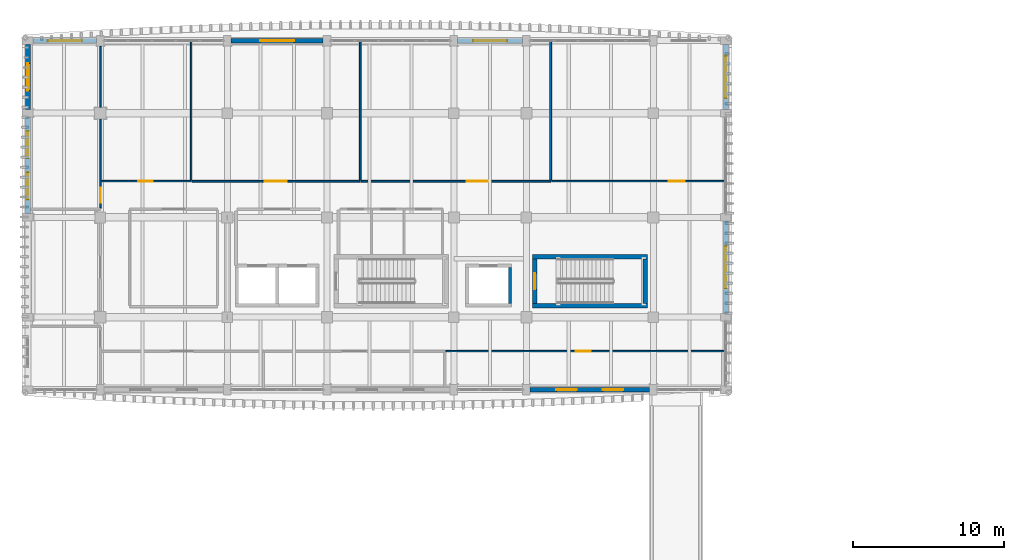
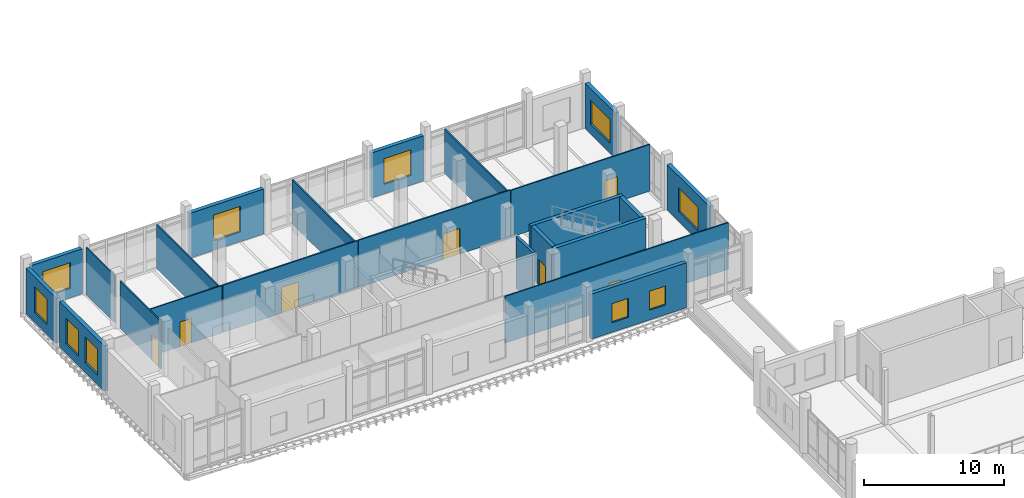
# One storey, part 52 of 76: 23 walls, 10 windows, 7 doors, 17 openings.
"""IFC4 building model written with IfcOpenShell, lengths in metres."""

from ifc_helpers import new_model, si_unit, direction, frame, frame_2d, origin, place, context, subcontext, project, spatial, rectangle, extrude, material, layer, layer_set, type_object, element, fill, save


model = new_model("IFC4")

# Units and contexts
model_context = context("Model", 3, precision=1e-05, world=origin(), true_north=direction((0.0, 1.0)))
body_context = subcontext(model_context, "Body", "Model", "MODEL_VIEW")
ifc_project = project(units=[si_unit("LENGTHUNIT", "METRE"), si_unit("AREAUNIT", "SQUARE_METRE"), si_unit("VOLUMEUNIT", "CUBIC_METRE"), si_unit("PLANEANGLEUNIT", "RADIAN"), si_unit("MASSUNIT", "GRAM", prefix="KILO")], contexts=[model_context])

# Site, building, storey
site_placement = place(None, origin())
site = spatial("IfcSite", under=ifc_project, at=site_placement, CompositionType="ELEMENT")
building_placement = place(site_placement, origin())
building = spatial("IfcBuilding", under=site, at=building_placement, Name="Dornvale Research Institute", CompositionType="ELEMENT")
storey_placement = place(building_placement, frame((0.0, 0.0, 15.0)))
storey = spatial("IfcBuildingStorey", under=building, at=storey_placement, Name="L03", CompositionType="ELEMENT", Elevation=15.0)

# Wall, opening, door
ifc_material_1 = material(Name="Acoustic Insulated Double-Stud Laboratory Partition")
ifc_layer_1 = layer(ifc_material_1, 0.1201171875)
ifc_layer_set_1 = layer_set([ifc_layer_1], Name="Acoustic Insulated Double-Stud Laboratory Partition")
wall_type_1 = type_object("IfcWallType", Name="Partition_Dry_120", PredefinedType="PARTITIONING", material=ifc_layer_set_1)
wall_1_placement = place(storey_placement, frame((10.864990234375, 112.800048828125, 0.0), z_axis=(0.0, 0.0, 1.0), x_axis=(1.0, 0.0, 0.0)))
wall_1 = element("IfcWall", 1, at=wall_1_placement, inside=storey, type_object=wall_type_1, Name="L03 V5 interior partition #342", PredefinedType="PARTITIONING", context=body_context, shape_type="SweptSolid", body=[
    extrude(rectangle(XDim=11.135009765625, YDim=0.1201171875, at=frame_2d((5.5673828125, 0.0))), origin(), (0.0, 0.0, 1.0), 4.1298828125),
])
opening_1_placement = place(wall_1_placement, frame((4.81494140625, 0.0, 0.0)))
opening_1 = element("IfcOpeningElement", 2, at=opening_1_placement, cuts=wall_1, Name="Opening ID-07", PredefinedType="OPENING", context=body_context, shape_type="SweptSolid", body=[
    extrude(rectangle(XDim=1.43994140625, YDim=2.25, at=frame_2d((0.719970703125, 1.125))), frame((0.0, 0.074951171875, 0.0), z_axis=(0.0, -1.0, 0.0), x_axis=(1.0, 0.0, 0.0)), (0.0, 0.0, 1.0), 0.150146484375),
])
ifc_material_2 = material(Name="Insulated Fire-Rated Hollow Metal Door Assembly")
door_type_1 = type_object("IfcDoorType", Name="Door_DryLab_1440x2250", OperationType="SINGLE_SWING_LEFT", PredefinedType="DOOR", material=ifc_material_2)
door_1_placement = place(opening_1_placement, origin())
door_1 = element("IfcDoor", 3, at=door_1_placement, inside=storey, type_object=door_type_1, Name="L03 Quantitative Ecology Computational Lab door #137", OperationType="SINGLE_SWING_RIGHT", OverallHeight=2.25, OverallWidth=1.43994140625, PredefinedType="DOOR", context=body_context, shape_type="SweptSolid", body=[
    extrude(rectangle(XDim=1.43994140625, YDim=2.25, at=frame_2d((0.719970703125, 1.125))), frame((0.0, 0.02490234375, 0.0), z_axis=(0.0, -1.0, 0.0), x_axis=(1.0, 0.0, 0.0)), (0.0, 0.0, 1.0), 0.050048828125),
])
fill(opening_1, door_1)

# Wall
wall_2_placement = place(storey_placement, frame((22.0, 112.875, 0.0), z_axis=(0.0, 0.0, 1.0), x_axis=(0.0, 1.0, 0.0)))
element("IfcWall", 4, at=wall_2_placement, inside=storey, type_object=wall_type_1, Name="L03 V5 interior partition #343", PredefinedType="PARTITIONING", context=body_context, shape_type="SweptSolid", body=[
    extrude(rectangle(XDim=9.18505859375, YDim=0.1201171875, at=frame_2d((4.592529296875, 0.0))), origin(), (0.0, 0.0, 1.0), 3.830078125),
])

# Wall, opening, door
wall_3_placement = place(storey_placement, frame((22.074951171875, 112.800048828125, 0.0), z_axis=(0.0, 0.0, 1.0), x_axis=(1.0, 0.0, 0.0)))
wall_3 = element("IfcWall", 5, at=wall_3_placement, inside=storey, type_object=wall_type_1, Name="L03 V5 interior partition #344", PredefinedType="PARTITIONING", context=body_context, shape_type="SweptSolid", body=[
    extrude(rectangle(XDim=12.525146484375, YDim=0.1201171875, at=frame_2d((6.2626953125, 0.0))), origin(), (0.0, 0.0, 1.0), 4.1298828125),
])
opening_2_placement = place(wall_3_placement, frame((6.985107421875, 0.0, 0.0)))
opening_2 = element("IfcOpeningElement", 6, at=opening_2_placement, cuts=wall_3, Name="Opening ID-08", PredefinedType="OPENING", context=body_context, shape_type="SweptSolid", body=[
    extrude(rectangle(XDim=1.3798828125, YDim=2.25, at=frame_2d((0.68994140625, 1.125))), frame((0.0, 0.074951171875, 0.0), z_axis=(0.0, -1.0, 0.0), x_axis=(1.0, 0.0, 0.0)), (0.0, 0.0, 1.0), 0.150146484375),
])
ifc_material_3 = material(Name="Insulated Fire-Rated Hollow Metal Door Assembly")
door_type_2 = type_object("IfcDoorType", Name="Door_DryLab_1380x2250", OperationType="SINGLE_SWING_LEFT", PredefinedType="DOOR", material=ifc_material_3)
door_2_placement = place(opening_2_placement, origin())
door_2 = element("IfcDoor", 7, at=door_2_placement, inside=storey, type_object=door_type_2, Name="L03 Spatial Data Modelling Laboratory door #138", OperationType="SINGLE_SWING_LEFT", OverallHeight=2.25, OverallWidth=1.3798828125, PredefinedType="DOOR", context=body_context, shape_type="SweptSolid", body=[
    extrude(rectangle(XDim=1.3798828125, YDim=2.25, at=frame_2d((0.68994140625, 1.125))), frame((0.0, 0.02490234375, 0.0), z_axis=(0.0, -1.0, 0.0), x_axis=(1.0, 0.0, 0.0)), (0.0, 0.0, 1.0), 0.050048828125),
])
fill(opening_2, door_2)

# Wall
wall_4_placement = place(storey_placement, frame((34.60009765625, 112.875, 0.0), z_axis=(0.0, 0.0, 1.0), x_axis=(0.0, 1.0, 0.0)))
element("IfcWall", 8, at=wall_4_placement, inside=storey, type_object=wall_type_1, Name="L03 V5 interior partition #345", PredefinedType="PARTITIONING", context=body_context, shape_type="SweptSolid", body=[
    extrude(rectangle(XDim=9.18505859375, YDim=0.1201171875, at=frame_2d((4.592529296875, 0.0))), origin(), (0.0, 0.0, 1.0), 3.830078125),
])

# Wall, opening, door
ifc_material_4 = material(Name="Acoustic Insulated Double-Stud Laboratory Partition")
ifc_layer_2 = layer(ifc_material_4, 0.10009765625)
ifc_layer_set_2 = layer_set([ifc_layer_2], Name="Acoustic Insulated Double-Stud Laboratory Partition")
wall_type_2 = type_object("IfcWallType", Name="Partition_Office_100", PredefinedType="PARTITIONING", material=ifc_layer_set_2)
wall_5_placement = place(storey_placement, frame((4.800048828125, 111.02490234375, 0.0), z_axis=(0.0, 0.0, 1.0), x_axis=(0.0, 1.0, 0.0)))
wall_5 = element("IfcWall", 9, at=wall_5_placement, inside=storey, type_object=wall_type_2, Name="L03 V5 interior partition #338", PredefinedType="PARTITIONING", context=body_context, shape_type="SweptSolid", body=[
    extrude(rectangle(XDim=5.880126953125, YDim=0.10009765625, at=frame_2d((2.93994140625, 0.0))), origin(), (0.0, 0.0, 1.0), 4.1298828125),
])
opening_3_placement = place(wall_5_placement, frame((0.364990234375, 0.0, 0.0)))
opening_3 = element("IfcOpeningElement", 10, at=opening_3_placement, cuts=wall_5, Name="Opening ID-21", PredefinedType="OPENING", context=body_context, shape_type="SweptSolid", body=[
    extrude(rectangle(XDim=0.97998046875, YDim=2.199951171875, at=frame_2d((0.489990234375, 1.10009765625))), frame((0.0, 0.06494140625, 0.0), z_axis=(0.0, -1.0, 0.0), x_axis=(1.0, 0.0, 0.0)), (0.0, 0.0, 1.0), 0.130126953125),
])
ifc_material_5 = material(Name="Phenolic-Faced Solid-Core Laboratory Door Assembly")
door_type_3 = type_object("IfcDoorType", Name="Door_Office_980x2200", OperationType="SINGLE_SWING_LEFT", PredefinedType="DOOR", material=ifc_material_5)
door_3_placement = place(opening_3_placement, origin())
door_3 = element("IfcDoor", 11, at=door_3_placement, inside=storey, type_object=door_type_3, Name="L03 Faculty Office Suite L03 door #135", OperationType="SINGLE_SWING_RIGHT", OverallHeight=2.199951171875, OverallWidth=0.97998046875, PredefinedType="DOOR", context=body_context, shape_type="SweptSolid", body=[
    extrude(rectangle(XDim=0.97998046875, YDim=2.199951171875, at=frame_2d((0.489990234375, 1.10009765625))), frame((0.0, 0.02490234375, 0.0), z_axis=(0.0, -1.0, 0.0), x_axis=(1.0, 0.0, 0.0)), (0.0, 0.0, 1.0), 0.050048828125),
])
fill(opening_3, door_3)

# Wall
wall_6_placement = place(storey_placement, frame((4.800048828125, 117.695068359375, 0.0), z_axis=(0.0, 0.0, 1.0), x_axis=(0.0, 1.0, 0.0)))
element("IfcWall", 12, at=wall_6_placement, inside=storey, type_object=wall_type_2, Name="L03 V5 interior partition #339", PredefinedType="PARTITIONING", context=body_context, shape_type="SweptSolid", body=[
    extrude(rectangle(XDim=4.034912109375, YDim=0.10009765625, at=frame_2d((2.017578125, 0.0))), origin(), (0.0, 0.0, 1.0), 4.1298828125),
])

# Wall, opening, door
wall_7_placement = place(storey_placement, frame((4.864990234375, 112.800048828125, 0.0), z_axis=(0.0, 0.0, 1.0), x_axis=(1.0, 0.0, 0.0)))
wall_7 = element("IfcWall", 13, at=wall_7_placement, inside=storey, type_object=wall_type_2, Name="L03 V5 interior partition #340", PredefinedType="PARTITIONING", context=body_context, shape_type="SweptSolid", body=[
    extrude(rectangle(XDim=5.93505859375, YDim=0.10009765625, at=frame_2d((2.967529296875, 0.0))), origin(), (0.0, 0.0, 1.0), 4.1298828125),
])
opening_4_placement = place(wall_7_placement, frame((2.455078125, 0.0, 0.0)))
opening_4 = element("IfcOpeningElement", 14, at=opening_4_placement, cuts=wall_7, Name="Opening ID-22", PredefinedType="OPENING", context=body_context, shape_type="SweptSolid", body=[
    extrude(rectangle(XDim=0.9599609375, YDim=2.14990234375, at=frame_2d((0.47998046875, 1.074951171875))), frame((0.0, 0.06494140625, 0.0), z_axis=(0.0, -1.0, 0.0), x_axis=(1.0, 0.0, 0.0)), (0.0, 0.0, 1.0), 0.130126953125),
])
ifc_material_6 = material(Name="Phenolic-Faced Solid-Core Laboratory Door Assembly")
door_type_4 = type_object("IfcDoorType", Name="Door_Office_960x2150", OperationType="SINGLE_SWING_LEFT", PredefinedType="DOOR", material=ifc_material_6)
door_4_placement = place(opening_4_placement, origin())
door_4 = element("IfcDoor", 15, at=door_4_placement, inside=storey, type_object=door_type_4, Name="L03 Faculty Office Suite L03 door #136", OperationType="SINGLE_SWING_LEFT", OverallHeight=2.14990234375, OverallWidth=0.9599609375, PredefinedType="DOOR", context=body_context, shape_type="SweptSolid", body=[
    extrude(rectangle(XDim=0.9599609375, YDim=2.14990234375, at=frame_2d((0.47998046875, 1.074951171875))), frame((0.0, 0.02490234375, 0.0), z_axis=(0.0, -1.0, 0.0), x_axis=(1.0, 0.0, 0.0)), (0.0, 0.0, 1.0), 0.050048828125),
])
fill(opening_4, door_4)

# Wall
wall_8_placement = place(storey_placement, frame((10.800048828125, 112.864990234375, 0.0), z_axis=(0.0, 0.0, 1.0), x_axis=(0.0, 1.0, 0.0)))
element("IfcWall", 16, at=wall_8_placement, inside=storey, type_object=wall_type_2, Name="L03 V5 interior partition #341", PredefinedType="PARTITIONING", context=body_context, shape_type="SweptSolid", body=[
    extrude(rectangle(XDim=9.195068359375, YDim=0.10009765625, at=frame_2d((4.59765625, 0.0))), origin(), (0.0, 0.0, 1.0), 3.830078125),
])

# Wall, opening, door
wall_9_placement = place(storey_placement, frame((34.675048828125, 112.800048828125, 0.0), z_axis=(0.0, 0.0, 1.0), x_axis=(1.0, 0.0, 0.0)))
wall_9 = element("IfcWall", 17, at=wall_9_placement, inside=storey, type_object=wall_type_2, Name="L03 V5 interior partition #346", PredefinedType="PARTITIONING", context=body_context, shape_type="SweptSolid", body=[
    extrude(rectangle(XDim=11.48486328125, YDim=0.10009765625, at=frame_2d((5.742431640625, 0.0))), origin(), (0.0, 0.0, 1.0), 4.080078125),
])
opening_5_placement = place(wall_9_placement, frame((7.7451171875, 0.0, 0.0)))
opening_5 = element("IfcOpeningElement", 18, at=opening_5_placement, cuts=wall_9, Name="Opening ID-19", PredefinedType="OPENING", context=body_context, shape_type="SweptSolid", body=[
    extrude(rectangle(XDim=1.06005859375, YDim=2.199951171875, at=frame_2d((0.530029296875, 1.10009765625))), frame((0.0, 0.06494140625, 0.0), z_axis=(0.0, -1.0, 0.0), x_axis=(1.0, 0.0, 0.0)), (0.0, 0.0, 1.0), 0.130126953125),
])
ifc_material_7 = material(Name="Phenolic-Faced Solid-Core Laboratory Door Assembly")
door_type_5 = type_object("IfcDoorType", Name="Door_WriteUp_1060x2200", OperationType="SINGLE_SWING_LEFT", PredefinedType="DOOR", material=ifc_material_7)
door_5_placement = place(opening_5_placement, origin())
door_5 = element("IfcDoor", 19, at=door_5_placement, inside=storey, type_object=door_type_5, Name="L03 Graduate Write-Up Commons L03 door #139", OperationType="SINGLE_SWING_RIGHT", OverallHeight=2.199951171875, OverallWidth=1.06005859375, PredefinedType="DOOR", context=body_context, shape_type="SweptSolid", body=[
    extrude(rectangle(XDim=1.06005859375, YDim=2.199951171875, at=frame_2d((0.530029296875, 1.10009765625))), frame((0.0, 0.02490234375, 0.0), z_axis=(0.0, -1.0, 0.0), x_axis=(1.0, 0.0, 0.0)), (0.0, 0.0, 1.0), 0.050048828125),
])
fill(opening_5, door_5)

wall_10_placement = place(storey_placement, frame((27.675048828125, 101.550048828125, 0.0), z_axis=(0.0, 0.0, 1.0), x_axis=(1.0, 0.0, 0.0)))
wall_10 = element("IfcWall", 20, at=wall_10_placement, inside=storey, type_object=wall_type_2, Name="L03 V5 interior partition #352", PredefinedType="PARTITIONING", context=body_context, shape_type="SweptSolid", body=[
    extrude(rectangle(XDim=18.48486328125, YDim=0.10009765625, at=frame_2d((9.242431640625, 0.0))), origin(), (0.0, 0.0, 1.0), 4.080078125),
])
opening_6_placement = place(wall_10_placement, frame((8.594970703125, 0.0, 0.0)))
opening_6 = element("IfcOpeningElement", 21, at=opening_6_placement, cuts=wall_10, Name="Opening ID-21", PredefinedType="OPENING", context=body_context, shape_type="SweptSolid", body=[
    extrude(rectangle(XDim=0.97998046875, YDim=2.199951171875, at=frame_2d((0.489990234375, 1.10009765625))), frame((0.0, 0.06494140625, 0.0), z_axis=(0.0, -1.0, 0.0), x_axis=(1.0, 0.0, 0.0)), (0.0, 0.0, 1.0), 0.130126953125),
])
door_6_placement = place(opening_6_placement, origin())
door_6 = element("IfcDoor", 22, at=door_6_placement, inside=storey, type_object=door_type_3, Name="L03 Principal Investigator Office L03-S door #143", OperationType="SINGLE_SWING_RIGHT", OverallHeight=2.199951171875, OverallWidth=0.97998046875, PredefinedType="DOOR", context=body_context, shape_type="SweptSolid", body=[
    extrude(rectangle(XDim=0.97998046875, YDim=2.199951171875, at=frame_2d((0.489990234375, 1.10009765625))), frame((0.0, 0.02490234375, 0.0), z_axis=(0.0, -1.0, 0.0), x_axis=(1.0, 0.0, 0.0)), (0.0, 0.0, 1.0), 0.050048828125),
])
fill(opening_6, door_6)

# Walls
ifc_material_8 = material(Name="Concrete f'c 50 MPa (C40/50)", Category="concrete")
ifc_layer_3 = layer(ifc_material_8, 0.300048828125)
ifc_layer_set_3 = layer_set([ifc_layer_3], Name="Concrete f'c 50 MPa (C40/50)")
wall_type_3 = type_object("IfcWallType", Name="ShearWall_Core_300", PredefinedType="SHEAR", material=ifc_layer_set_3)
for number, where, z_axis, x_axis, name in (
    (23, (33.39990234375, 104.550048828125, 0.0), (0.0, 0.0, 1.0), (1.0, 0.0, 0.0), "L03 ST-2 shaft shear wall south"),
    (24, (33.39990234375, 107.81005859375, 0.0), (0.0, 0.0, 1.0), (1.0, 0.0, 0.0), "L03 ST-2 shaft shear wall north"),
):
    element("IfcWall", number, at=place(storey_placement, frame(where, z_axis=z_axis, x_axis=x_axis)), inside=storey, type_object=wall_type_3, Name=name, PredefinedType="SHEAR", context=body_context, shape_type="SweptSolid", body=[
        extrude(rectangle(XDim=7.60009765625, YDim=0.300048828125, at=frame_2d((3.800048828125, 0.0))), origin(), (0.0, 0.0, 1.0), 4.5),
    ])

# Wall, opening, door
wall_11_placement = place(storey_placement, frame((33.550048828125, 104.699951171875, 0.0), z_axis=(0.0, 0.0, 1.0), x_axis=(0.0, 1.0, 0.0)))
wall_11 = element("IfcWall", 25, at=wall_11_placement, inside=storey, type_object=wall_type_3, Name="L03 ST-2 shaft shear wall west", PredefinedType="SHEAR", context=body_context, shape_type="SweptSolid", body=[
    extrude(rectangle(XDim=2.9599609375, YDim=0.300048828125, at=frame_2d((1.47998046875, 0.0))), origin(), (0.0, 0.0, 1.0), 4.5),
])
opening_7_placement = place(wall_11_placement, frame((0.93994140625, 0.0, 0.0)))
opening_7 = element("IfcOpeningElement", 26, at=opening_7_placement, cuts=wall_11, Name="Opening SD-02", PredefinedType="OPENING", context=body_context, shape_type="SweptSolid", body=[
    extrude(rectangle(XDim=1.080078125, YDim=2.199951171875, at=frame_2d((0.5400390625, 1.10009765625))), frame((0.0, 0.1650390625, 0.0), z_axis=(0.0, -1.0, 0.0), x_axis=(1.0, 0.0, 0.0)), (0.0, 0.0, 1.0), 0.330078125),
])
ifc_material_9 = material(Name="Insulated Fire-Rated Hollow Metal Door Assembly")
door_type_6 = type_object("IfcDoorType", Name="Door_Stair_1080x2200", OperationType="SINGLE_SWING_LEFT", PredefinedType="DOOR", material=ifc_material_9)
door_7_placement = place(opening_7_placement, origin())
door_7 = element("IfcDoor", 27, at=door_7_placement, inside=storey, type_object=door_type_6, Name="L03 ST-2 exit stair door #17", OperationType="SINGLE_SWING_RIGHT", OverallHeight=2.199951171875, OverallWidth=1.080078125, PredefinedType="DOOR", context=body_context, shape_type="SweptSolid", body=[
    extrude(rectangle(XDim=1.080078125, YDim=2.199951171875, at=frame_2d((0.5400390625, 1.10009765625))), frame((0.0, 0.02490234375, 0.0), z_axis=(0.0, -1.0, 0.0), x_axis=(1.0, 0.0, 0.0)), (0.0, 0.0, 1.0), 0.050048828125),
])
fill(opening_7, door_7)

# Walls
wall_12_placement = place(storey_placement, frame((40.85009765625, 104.699951171875, 0.0), z_axis=(0.0, 0.0, 1.0), x_axis=(0.0, 1.0, 0.0)))
element("IfcWall", 28, at=wall_12_placement, inside=storey, type_object=wall_type_3, Name="L03 ST-2 shaft shear wall east", PredefinedType="SHEAR", context=body_context, shape_type="SweptSolid", body=[
    extrude(rectangle(XDim=2.9599609375, YDim=0.300048828125, at=frame_2d((1.47998046875, 0.0))), origin(), (0.0, 0.0, 1.0), 4.5),
])
ifc_material_10 = material(Name="Concrete f'c 45 MPa (C35/45)", Category="concrete")
ifc_layer_4 = layer(ifc_material_10, 0.219970703125)
ifc_layer_set_4 = layer_set([ifc_layer_4], Name="Concrete f'c 45 MPa (C35/45)")
wall_type_4 = type_object("IfcWallType", Name="ShearWall_Shaft_220", PredefinedType="SHEAR", material=ifc_layer_set_4)
wall_13_placement = place(storey_placement, frame((31.909912109375, 104.699951171875, 0.0), z_axis=(0.0, 0.0, 1.0), x_axis=(0.0, 1.0, 0.0)))
element("IfcWall", 29, at=wall_13_placement, inside=storey, type_object=wall_type_4, Name="L03 LP1 elevator shaft wall east", PredefinedType="SHEAR", context=body_context, shape_type="SweptSolid", body=[
    extrude(rectangle(XDim=2.400146484375, YDim=0.219970703125, at=frame_2d((1.2001953125, 0.0))), origin(), (0.0, 0.0, 1.0), 4.5),
])

# Wall, openings, windows
ifc_material_11 = material(Name="Catalan Pressed Brick and Insulated Cavity Assembly", Category="masonry")
ifc_layer_5 = layer(ifc_material_11, 0.320068359375)
ifc_layer_set_5 = layer_set([ifc_layer_5], Name="Catalan Pressed Brick and Insulated Cavity Assembly")
wall_type_5 = type_object("IfcWallType", Name="StandardWall_BrickCavity_320", PredefinedType="STANDARD", material=ifc_layer_set_5)
wall_14_placement = place(storey_placement, frame((0.0, 110.64990234375, 0.0), z_axis=(0.0, 0.0, 1.0), x_axis=(0.0, 1.0, 0.0)))
wall_14 = element("IfcWall", 30, at=wall_14_placement, inside=storey, type_object=wall_type_5, Name="L03 V5 west exterior wall #334", PredefinedType="STANDARD", context=body_context, shape_type="SweptSolid", body=[
    extrude(rectangle(XDim=6.400146484375, YDim=0.320068359375, at=frame_2d((3.2001953125, 0.0))), origin(), (0.0, 0.0, 1.0), 3.949951171875),
])
opening_8_placement = place(wall_14_placement, frame((0.933349609375, 0.0, 0.85009765625)))
opening_8 = element("IfcOpeningElement", 31, at=opening_8_placement, cuts=wall_14, Name="Opening W-41", PredefinedType="OPENING", context=body_context, shape_type="SweptSolid", body=[
    extrude(rectangle(XDim=1.800048828125, YDim=2.239990234375, at=frame_2d((0.89990234375, 1.1201171875))), frame((0.0, 0.175048828125, 0.0), z_axis=(0.0, -1.0, 0.0), x_axis=(1.0, 0.0, 0.0)), (0.0, 0.0, 1.0), 0.35009765625),
])
opening_9_placement = place(wall_14_placement, frame((3.66650390625, 0.0, 0.85009765625)))
opening_9 = element("IfcOpeningElement", 32, at=opening_9_placement, cuts=wall_14, Name="Opening W-41", PredefinedType="OPENING", context=body_context, shape_type="SweptSolid", body=[
    extrude(rectangle(XDim=1.800048828125, YDim=2.239990234375, at=frame_2d((0.89990234375, 1.1201171875))), frame((0.0, 0.175048828125, 0.0), z_axis=(0.0, -1.0, 0.0), x_axis=(1.0, 0.0, 0.0)), (0.0, 0.0, 1.0), 0.35009765625),
])
ifc_material_12 = material(Name="Low-E Argon Double Insulating Glazing Unit", Category="glass")
window_type_1 = type_object("IfcWindowType", Name="Window_Alu_1800x2240_41", PartitioningType="DOUBLE_PANEL_VERTICAL", PredefinedType="WINDOW", material=ifc_material_12)
window_1_placement = place(opening_8_placement, origin())
window_1 = element("IfcWindow", 33, at=window_1_placement, inside=storey, type_object=window_type_1, Name="L03 V5 facade window W-41 #451", OverallHeight=2.239990234375, OverallWidth=1.800048828125, PartitioningType="DOUBLE_PANEL_VERTICAL", PredefinedType="WINDOW", context=body_context, shape_type="SweptSolid", body=[
    extrude(rectangle(XDim=1.800048828125, YDim=2.239990234375, at=frame_2d((0.89990234375, 1.1201171875))), frame((0.0, 0.030029296875, 0.0), z_axis=(0.0, -1.0, 0.0), x_axis=(1.0, 0.0, 0.0)), (0.0, 0.0, 1.0), 0.06005859375),
])
fill(opening_8, window_1)
window_2_placement = place(opening_9_placement, origin())
window_2 = element("IfcWindow", 34, at=window_2_placement, inside=storey, type_object=window_type_1, Name="L03 V5 facade window W-41 #452", OverallHeight=2.239990234375, OverallWidth=1.800048828125, PartitioningType="DOUBLE_PANEL_VERTICAL", PredefinedType="WINDOW", context=body_context, shape_type="SweptSolid", body=[
    extrude(rectangle(XDim=1.800048828125, YDim=2.239990234375, at=frame_2d((0.89990234375, 1.1201171875))), frame((0.0, 0.030029296875, 0.0), z_axis=(0.0, -1.0, 0.0), x_axis=(1.0, 0.0, 0.0)), (0.0, 0.0, 1.0), 0.06005859375),
])
fill(opening_9, window_2)

# Wall, opening, window
wall_15_placement = place(storey_placement, frame((0.0, 117.550048828125, 0.0), z_axis=(0.0, 0.0, 1.0), x_axis=(0.0, 1.0, 0.0)))
wall_15 = element("IfcWall", 35, at=wall_15_placement, inside=storey, type_object=wall_type_5, Name="L03 V5 west exterior wall #335", PredefinedType="STANDARD", context=body_context, shape_type="SweptSolid", body=[
    extrude(rectangle(XDim=4.300048828125, YDim=0.320068359375, at=frame_2d((2.14990234375, 0.0))), origin(), (0.0, 0.0, 1.0), 3.949951171875),
])
opening_10_placement = place(wall_15_placement, frame((1.25, 0.0, 0.85009765625)))
opening_10 = element("IfcOpeningElement", 36, at=opening_10_placement, cuts=wall_15, Name="Opening W-41", PredefinedType="OPENING", context=body_context, shape_type="SweptSolid", body=[
    extrude(rectangle(XDim=1.800048828125, YDim=2.239990234375, at=frame_2d((0.89990234375, 1.1201171875))), frame((0.0, 0.175048828125, 0.0), z_axis=(0.0, -1.0, 0.0), x_axis=(1.0, 0.0, 0.0)), (0.0, 0.0, 1.0), 0.35009765625),
])
window_3_placement = place(opening_10_placement, origin())
window_3 = element("IfcWindow", 37, at=window_3_placement, inside=storey, type_object=window_type_1, Name="L03 V5 facade window W-41 #453", OverallHeight=2.239990234375, OverallWidth=1.800048828125, PartitioningType="DOUBLE_PANEL_VERTICAL", PredefinedType="WINDOW", context=body_context, shape_type="SweptSolid", body=[
    extrude(rectangle(XDim=1.800048828125, YDim=2.239990234375, at=frame_2d((0.89990234375, 1.1201171875))), frame((0.0, 0.030029296875, 0.0), z_axis=(0.0, -1.0, 0.0), x_axis=(1.0, 0.0, 0.0)), (0.0, 0.0, 1.0), 0.06005859375),
])
fill(opening_10, window_3)

wall_16_placement = place(storey_placement, frame((0.35009765625, 122.10009765625, 0.0), z_axis=(0.0, 0.0, 1.0), x_axis=(1.0, 0.0, 0.0)))
wall_16 = element("IfcWall", 38, at=wall_16_placement, inside=storey, type_object=wall_type_5, Name="L03 V5 north exterior wall #336", PredefinedType="STANDARD", context=body_context, shape_type="SweptSolid", body=[
    extrude(rectangle(XDim=4.199951171875, YDim=0.320068359375, at=frame_2d((2.10009765625, 0.0))), origin(), (0.0, 0.0, 1.0), 3.949951171875),
])
opening_11_placement = place(wall_16_placement, frame((0.97509765625, 0.0, 0.85009765625)))
opening_11 = element("IfcOpeningElement", 39, at=opening_11_placement, cuts=wall_16, Name="Opening W-44", PredefinedType="OPENING", context=body_context, shape_type="SweptSolid", body=[
    extrude(rectangle(XDim=2.25, YDim=2.239990234375, at=frame_2d((1.125, 1.1201171875))), frame((0.0, 0.175048828125, 0.0), z_axis=(0.0, -1.0, 0.0), x_axis=(1.0, 0.0, 0.0)), (0.0, 0.0, 1.0), 0.35009765625),
])
ifc_material_13 = material(Name="Low-E Argon Double Insulating Glazing Unit", Category="glass")
window_type_2 = type_object("IfcWindowType", Name="Window_Alu_2250x2240_44", PartitioningType="DOUBLE_PANEL_VERTICAL", PredefinedType="WINDOW", material=ifc_material_13)
window_4_placement = place(opening_11_placement, origin())
window_4 = element("IfcWindow", 40, at=window_4_placement, inside=storey, type_object=window_type_2, Name="L03 V5 facade window W-44 #454", OverallHeight=2.239990234375, OverallWidth=2.25, PartitioningType="DOUBLE_PANEL_VERTICAL", PredefinedType="WINDOW", context=body_context, shape_type="SweptSolid", body=[
    extrude(rectangle(XDim=2.25, YDim=2.239990234375, at=frame_2d((1.125, 1.1201171875))), frame((0.0, 0.030029296875, 0.0), z_axis=(0.0, -1.0, 0.0), x_axis=(1.0, 0.0, 0.0)), (0.0, 0.0, 1.0), 0.06005859375),
])
fill(opening_11, window_4)

wall_17_placement = place(storey_placement, frame((13.449951171875, 122.10009765625, 0.0), z_axis=(0.0, 0.0, 1.0), x_axis=(1.0, 0.0, 0.0)))
wall_17 = element("IfcWall", 41, at=wall_17_placement, inside=storey, type_object=wall_type_5, Name="L03 V5 north exterior wall #337", PredefinedType="STANDARD", context=body_context, shape_type="SweptSolid", body=[
    extrude(rectangle(XDim=6.10009765625, YDim=0.320068359375, at=frame_2d((3.050048828125, 0.0))), origin(), (0.0, 0.0, 1.0), 3.929931640625),
])
opening_12_placement = place(wall_17_placement, frame((1.925048828125, 0.0, 0.85009765625)))
opening_12 = element("IfcOpeningElement", 42, at=opening_12_placement, cuts=wall_17, Name="Opening W-44", PredefinedType="OPENING", context=body_context, shape_type="SweptSolid", body=[
    extrude(rectangle(XDim=2.25, YDim=2.239990234375, at=frame_2d((1.125, 1.1201171875))), frame((0.0, 0.175048828125, 0.0), z_axis=(0.0, -1.0, 0.0), x_axis=(1.0, 0.0, 0.0)), (0.0, 0.0, 1.0), 0.35009765625),
])
window_5_placement = place(opening_12_placement, origin())
window_5 = element("IfcWindow", 43, at=window_5_placement, inside=storey, type_object=window_type_2, Name="L03 V5 facade window W-44 #455", OverallHeight=2.239990234375, OverallWidth=2.25, PartitioningType="DOUBLE_PANEL_VERTICAL", PredefinedType="WINDOW", context=body_context, shape_type="SweptSolid", body=[
    extrude(rectangle(XDim=2.25, YDim=2.239990234375, at=frame_2d((1.125, 1.1201171875))), frame((0.0, 0.030029296875, 0.0), z_axis=(0.0, -1.0, 0.0), x_axis=(1.0, 0.0, 0.0)), (0.0, 0.0, 1.0), 0.06005859375),
])
fill(opening_12, window_5)

wall_18_placement = place(storey_placement, frame((28.449951171875, 122.10009765625, 0.0), z_axis=(0.0, 0.0, 1.0), x_axis=(1.0, 0.0, 0.0)))
wall_18 = element("IfcWall", 44, at=wall_18_placement, inside=storey, type_object=wall_type_5, Name="L03 V5 north exterior wall #338", PredefinedType="STANDARD", context=body_context, shape_type="SweptSolid", body=[
    extrude(rectangle(XDim=4.300048828125, YDim=0.320068359375, at=frame_2d((2.14990234375, 0.0))), origin(), (0.0, 0.0, 1.0), 3.949951171875),
])
opening_13_placement = place(wall_18_placement, frame((1.02490234375, 0.0, 0.85009765625)))
opening_13 = element("IfcOpeningElement", 45, at=opening_13_placement, cuts=wall_18, Name="Opening W-44", PredefinedType="OPENING", context=body_context, shape_type="SweptSolid", body=[
    extrude(rectangle(XDim=2.25, YDim=2.239990234375, at=frame_2d((1.125, 1.1201171875))), frame((0.0, 0.175048828125, 0.0), z_axis=(0.0, -1.0, 0.0), x_axis=(1.0, 0.0, 0.0)), (0.0, 0.0, 1.0), 0.35009765625),
])
window_6_placement = place(opening_13_placement, origin())
window_6 = element("IfcWindow", 46, at=window_6_placement, inside=storey, type_object=window_type_2, Name="L03 V5 facade window W-44 #456", OverallHeight=2.239990234375, OverallWidth=2.25, PartitioningType="DOUBLE_PANEL_VERTICAL", PredefinedType="WINDOW", context=body_context, shape_type="SweptSolid", body=[
    extrude(rectangle(XDim=2.25, YDim=2.239990234375, at=frame_2d((1.125, 1.1201171875))), frame((0.0, 0.030029296875, 0.0), z_axis=(0.0, -1.0, 0.0), x_axis=(1.0, 0.0, 0.0)), (0.0, 0.0, 1.0), 0.06005859375),
])
fill(opening_13, window_6)

wall_19_placement = place(storey_placement, frame((46.199951171875, 121.85009765625, 0.0), z_axis=(0.0, 0.0, 1.0), x_axis=(0.0, -1.0, 0.0)))
wall_19 = element("IfcWall", 47, at=wall_19_placement, inside=storey, type_object=wall_type_5, Name="L03 V5 east exterior wall #340", PredefinedType="STANDARD", context=body_context, shape_type="SweptSolid", body=[
    extrude(rectangle(XDim=4.300048828125, YDim=0.320068359375, at=frame_2d((2.14990234375, 0.0))), origin(), (0.0, 0.0, 1.0), 3.949951171875),
])
opening_14_placement = place(wall_19_placement, frame((0.75, 0.0, 0.85009765625)))
opening_14 = element("IfcOpeningElement", 48, at=opening_14_placement, cuts=wall_19, Name="Opening W-47", PredefinedType="OPENING", context=body_context, shape_type="SweptSolid", body=[
    extrude(rectangle(XDim=2.800048828125, YDim=2.080078125, at=frame_2d((1.39990234375, 1.0400390625))), frame((0.0, 0.175048828125, 0.0), z_axis=(0.0, -1.0, 0.0), x_axis=(1.0, 0.0, 0.0)), (0.0, 0.0, 1.0), 0.35009765625),
])
ifc_material_14 = material(Name="Low-E Argon Double Insulating Glazing Unit", Category="glass")
window_type_3 = type_object("IfcWindowType", Name="Window_Alu_2800x2080_47", PartitioningType="DOUBLE_PANEL_VERTICAL", PredefinedType="WINDOW", material=ifc_material_14)
window_7_placement = place(opening_14_placement, origin())
window_7 = element("IfcWindow", 49, at=window_7_placement, inside=storey, type_object=window_type_3, Name="L03 V5 facade window W-47 #458", OverallHeight=2.080078125, OverallWidth=2.800048828125, PartitioningType="DOUBLE_PANEL_VERTICAL", PredefinedType="WINDOW", context=body_context, shape_type="SweptSolid", body=[
    extrude(rectangle(XDim=2.800048828125, YDim=2.080078125, at=frame_2d((1.39990234375, 1.0400390625))), frame((0.0, 0.030029296875, 0.0), z_axis=(0.0, -1.0, 0.0), x_axis=(1.0, 0.0, 0.0)), (0.0, 0.0, 1.0), 0.06005859375),
])
fill(opening_14, window_7)

wall_20_placement = place(storey_placement, frame((46.199951171875, 110.14990234375, 0.0), z_axis=(0.0, 0.0, 1.0), x_axis=(0.0, -1.0, 0.0)))
wall_20 = element("IfcWall", 50, at=wall_20_placement, inside=storey, type_object=wall_type_5, Name="L03 V5 east exterior wall #341", PredefinedType="STANDARD", context=body_context, shape_type="SweptSolid", body=[
    extrude(rectangle(XDim=6.099853515625, YDim=0.320068359375, at=frame_2d((3.0498046875, 0.0))), origin(), (0.0, 0.0, 1.0), 3.949951171875),
])
opening_15_placement = place(wall_20_placement, frame((1.64990234375, 0.0, 0.85009765625)))
opening_15 = element("IfcOpeningElement", 51, at=opening_15_placement, cuts=wall_20, Name="Opening W-47", PredefinedType="OPENING", context=body_context, shape_type="SweptSolid", body=[
    extrude(rectangle(XDim=2.800048828125, YDim=2.080078125, at=frame_2d((1.39990234375, 1.0400390625))), frame((0.0, 0.175048828125, 0.0), z_axis=(0.0, -1.0, 0.0), x_axis=(1.0, 0.0, 0.0)), (0.0, 0.0, 1.0), 0.35009765625),
])
window_8_placement = place(opening_15_placement, origin())
window_8 = element("IfcWindow", 52, at=window_8_placement, inside=storey, type_object=window_type_3, Name="L03 V5 facade window W-47 #459", OverallHeight=2.080078125, OverallWidth=2.800048828125, PartitioningType="DOUBLE_PANEL_VERTICAL", PredefinedType="WINDOW", context=body_context, shape_type="SweptSolid", body=[
    extrude(rectangle(XDim=2.800048828125, YDim=2.080078125, at=frame_2d((1.39990234375, 1.0400390625))), frame((0.0, 0.030029296875, 0.0), z_axis=(0.0, -1.0, 0.0), x_axis=(1.0, 0.0, 0.0)), (0.0, 0.0, 1.0), 0.06005859375),
])
fill(opening_15, window_8)

# Wall, openings, windows
wall_21_placement = place(storey_placement, frame((41.14990234375, 99.0, 0.0), z_axis=(0.0, 0.0, 1.0), x_axis=(-1.0, 0.0, 0.0)))
wall_21 = element("IfcWall", 53, at=wall_21_placement, inside=storey, type_object=wall_type_5, Name="L03 V5 south exterior wall #342", PredefinedType="STANDARD", context=body_context, shape_type="SweptSolid", body=[
    extrude(rectangle(XDim=7.89990234375, YDim=0.320068359375, at=frame_2d((3.949951171875, 0.0))), origin(), (0.0, 0.0, 1.0), 3.929931640625),
])
opening_16_placement = place(wall_21_placement, frame((1.7333984375, 0.0, 0.85009765625)))
opening_16 = element("IfcOpeningElement", 54, at=opening_16_placement, cuts=wall_21, Name="Opening W-02", PredefinedType="OPENING", context=body_context, shape_type="SweptSolid", body=[
    extrude(rectangle(XDim=1.35009765625, YDim=1.659912109375, at=frame_2d((0.675048828125, 0.830078125))), frame((0.0, 0.175048828125, 0.0), z_axis=(0.0, -1.0, 0.0), x_axis=(1.0, 0.0, 0.0)), (0.0, 0.0, 1.0), 0.35009765625),
])
opening_17_placement = place(wall_21_placement, frame((4.816650390625, 0.0, 0.85009765625)))
opening_17 = element("IfcOpeningElement", 55, at=opening_17_placement, cuts=wall_21, Name="Opening W-02", PredefinedType="OPENING", context=body_context, shape_type="SweptSolid", body=[
    extrude(rectangle(XDim=1.35009765625, YDim=1.659912109375, at=frame_2d((0.675048828125, 0.830078125))), frame((0.0, 0.175048828125, 0.0), z_axis=(0.0, -1.0, 0.0), x_axis=(1.0, 0.0, 0.0)), (0.0, 0.0, 1.0), 0.35009765625),
])
ifc_material_15 = material(Name="Low-E Argon Double Insulating Glazing Unit", Category="glass")
window_type_4 = type_object("IfcWindowType", Name="Window_Alu_1350x1660_02", PartitioningType="SINGLE_PANEL", PredefinedType="WINDOW", material=ifc_material_15)
window_9_placement = place(opening_16_placement, origin())
window_9 = element("IfcWindow", 56, at=window_9_placement, inside=storey, type_object=window_type_4, Name="L03 V5 facade window W-02 #460", OverallHeight=1.659912109375, OverallWidth=1.35009765625, PartitioningType="SINGLE_PANEL", PredefinedType="WINDOW", context=body_context, shape_type="SweptSolid", body=[
    extrude(rectangle(XDim=1.35009765625, YDim=1.659912109375, at=frame_2d((0.675048828125, 0.830078125))), frame((0.0, 0.030029296875, 0.0), z_axis=(0.0, -1.0, 0.0), x_axis=(1.0, 0.0, 0.0)), (0.0, 0.0, 1.0), 0.06005859375),
])
fill(opening_16, window_9)
window_10_placement = place(opening_17_placement, origin())
window_10 = element("IfcWindow", 57, at=window_10_placement, inside=storey, type_object=window_type_4, Name="L03 V5 facade window W-02 #461", OverallHeight=1.659912109375, OverallWidth=1.35009765625, PartitioningType="SINGLE_PANEL", PredefinedType="WINDOW", context=body_context, shape_type="SweptSolid", body=[
    extrude(rectangle(XDim=1.35009765625, YDim=1.659912109375, at=frame_2d((0.675048828125, 0.830078125))), frame((0.0, 0.030029296875, 0.0), z_axis=(0.0, -1.0, 0.0), x_axis=(1.0, 0.0, 0.0)), (0.0, 0.0, 1.0), 0.06005859375),
])
fill(opening_17, window_10)

save(model, "model.ifc")
